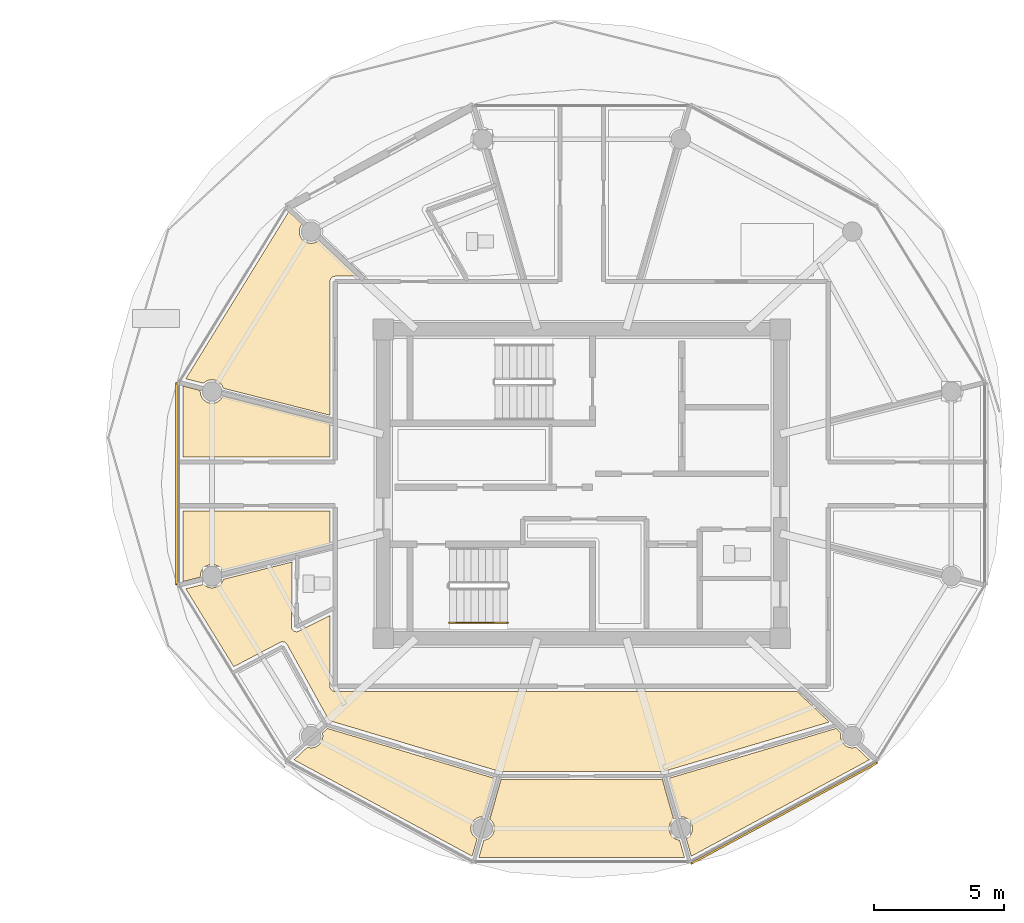
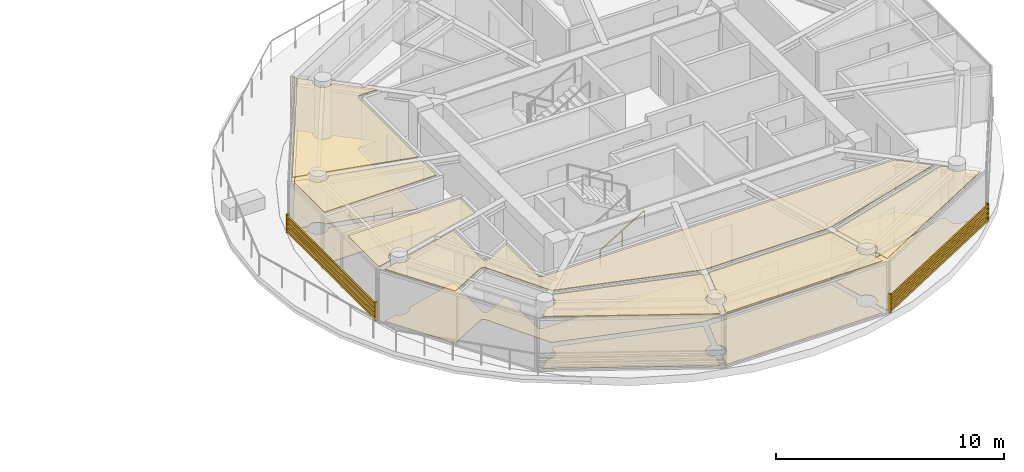
# One storey, part 21 of 28: 13 coverings, 2 shading devices, 1 railing.
"""IFC4 building model written with IfcOpenShell, lengths in metres."""

from ifc_helpers import new_model, si_unit, direction, frame, origin, origin_2d, place, context, subcontext, project, spatial, polyline, rectangle, outline, extrude, source, transform, mapped, material, layer, layer_set, type_object, type_shapes, element, save


model = new_model("IFC4")

# Units and contexts
model_context = context("Model", 3, precision=1e-05, world=origin(), true_north=direction((0.0, 1.0)))
body_context = subcontext(model_context, "Body", "Model", "MODEL_VIEW")
ifc_project = project(units=[si_unit("LENGTHUNIT", "METRE"), si_unit("AREAUNIT", "SQUARE_METRE"), si_unit("VOLUMEUNIT", "CUBIC_METRE"), si_unit("PLANEANGLEUNIT", "RADIAN"), si_unit("MASSUNIT", "GRAM", prefix="KILO")], contexts=[model_context])

# Site, building, storey
site_placement = place(None, origin())
site = spatial("IfcSite", under=ifc_project, at=site_placement, CompositionType="ELEMENT")
building_placement = place(site_placement, origin())
building = spatial("IfcBuilding", under=site, at=building_placement, Name="Norrkilde Senior Care Towers", CompositionType="ELEMENT")
storey_placement = place(building_placement, frame((0.0, 0.0, 190.64990234375)))
storey = spatial("IfcBuildingStorey", under=building, at=storey_placement, Name="L59", CompositionType="ELEMENT", Elevation=190.64990234375)

# Coverings
ifc_material_1 = material(Name="Nordic Ash Timber", Category="wood")
ifc_layer_1 = layer(ifc_material_1, 0.044921875)
ifc_layer_set_1 = layer_set([ifc_layer_1], Name="Nordic Ash Timber")
covering_type_1 = type_object("IfcCoveringType", Name="Acoustic Ash Timber Slatted Ceiling 45", PredefinedType="CEILING", material=ifc_layer_set_1)
covering_1_placement = place(storey_placement, frame((0.0, 0.0, 2.76513671875)))
element("IfcCovering", 1, at=covering_1_placement, inside=storey, type_object=covering_type_1, Name="L59 Suspended Ceiling 0356", PredefinedType="CEILING", context=body_context, shape_type="SweptSolid", body=[
    extrude(outline(polyline([(18.300048828125, -1.0400390625), (18.300048828125, -2.331298828125), (14.165771484375, -3.377685546875), (14.146728515625, -3.331298828125), (14.07421875, -3.237060546875), (13.97998046875, -3.164794921875), (13.870361328125, -3.119384765625), (13.752685546875, -3.103759765625), (13.634765625, -3.119384765625), (13.525146484375, -3.164794921875), (13.430908203125, -3.237060546875), (13.358642578125, -3.331298828125), (13.31298828125, -3.44091796875), (13.297607421875, -3.558837890625), (13.302490234375, -3.59619140625), (12.62646484375, -3.76708984375), (12.62646484375, -1.0400390625), (18.300048828125, -1.0400390625)])), origin(), (0.0, 0.0, 1.0), 0.044921875),
])
covering_2_placement = place(storey_placement, frame((0.0, 0.0, 2.76513671875)))
element("IfcCovering", 2, at=covering_2_placement, inside=storey, type_object=covering_type_1, Name="L59 Suspended Ceiling 0357", PredefinedType="CEILING", context=body_context, shape_type="SweptSolid", body=[
    extrude(outline(polyline([(18.300048828125, 1.0400390625), (12.62646484375, 1.0400390625), (12.62646484375, 3.76708984375), (13.302490234375, 3.59619140625), (13.297607421875, 3.558837890625), (13.31298828125, 3.44091796875), (13.358642578125, 3.331298828125), (13.430908203125, 3.237060546875), (13.525146484375, 3.164794921875), (13.634765625, 3.119384765625), (13.752685546875, 3.103759765625), (13.870361328125, 3.119384765625), (13.97998046875, 3.164794921875), (14.07421875, 3.237060546875), (14.146728515625, 3.331298828125), (14.165771484375, 3.377685546875), (18.300048828125, 2.331298828125), (18.300048828125, 1.0400390625)])), origin(), (0.0, 0.0, 1.0), 0.044921875),
])
covering_3_placement = place(storey_placement, frame((0.0, 0.0, 2.76513671875)))
element("IfcCovering", 3, at=covering_3_placement, inside=storey, type_object=covering_type_1, Name="L59 Suspended Ceiling 0365", PredefinedType="CEILING", context=body_context, shape_type="SweptSolid", body=[
    extrude(outline(polyline([(18.455322265625, 7.994873046875), (18.447509765625, 7.992919921875), (18.436279296875, 7.989501953125), (18.428955078125, 7.98681640625), (18.41796875, 7.982421875), (18.410888671875, 7.97900390625), (18.400634765625, 7.973388671875), (18.393798828125, 7.969482421875), (18.384033203125, 7.962890625), (18.377685546875, 7.958251953125), (18.36865234375, 7.95068359375), (18.36279296875, 7.945556640625), (18.3544921875, 7.937255859375), (18.34912109375, 7.931396484375), (18.341796875, 7.92236328125), (18.337158203125, 7.916015625), (18.33056640625, 7.90625), (18.326416015625, 7.8994140625), (18.321044921875, 7.888916015625), (18.317626953125, 7.8818359375), (18.31298828125, 7.87109375), (18.310546875, 7.86376953125), (18.30712890625, 7.852294921875), (18.30517578125, 7.8447265625), (18.302734375, 7.833251953125), (18.3017578125, 7.825439453125), (18.300537109375, 7.813720703125), (18.300048828125, 7.805908203125), (18.300048828125, 7.800048828125), (18.300048828125, 2.640625), (14.190185546875, 3.680908203125), (14.146728515625, 3.786376953125), (14.07421875, 3.880615234375), (13.97998046875, 3.952880859375), (13.870361328125, 3.998291015625), (13.752685546875, 4.013671875), (13.634765625, 3.998291015625), (13.525146484375, 3.952880859375), (13.430908203125, 3.880615234375), (13.426025390625, 3.874267578125), (12.74267578125, 4.04736328125), (16.71337890625, 10.495849609375), (17.224365234375, 10.01318359375), (17.176025390625, 9.9501953125), (17.130615234375, 9.840576171875), (17.115234375, 9.72265625), (17.130615234375, 9.60498046875), (17.176025390625, 9.4951171875), (17.24853515625, 9.40087890625), (17.3427734375, 9.32861328125), (17.452392578125, 9.283203125), (17.570068359375, 9.267822265625), (17.68798828125, 9.283203125), (17.797607421875, 9.32861328125), (17.88134765625, 9.392822265625), (19.355712890625, 8.0), (18.5, 8.0), (18.494140625, 7.999755859375), (18.486328125, 7.99951171875), (18.474609375, 7.998291015625), (18.466796875, 7.9970703125), (18.455322265625, 7.994873046875)])), origin(), (0.0, 0.0, 1.0), 0.044921875),
])
covering_4_placement = place(storey_placement, frame((0.0, 0.0, 2.76513671875)))
element("IfcCovering", 4, at=covering_4_placement, inside=storey, type_object=covering_type_1, Name="L59 Suspended Ceiling 0366", PredefinedType="CEILING", context=body_context, shape_type="SweptSolid", body=[
    extrude(outline(polyline([(16.817626953125, -5.54150390625), (16.819580078125, -5.552978515625), (16.8212890625, -5.5595703125), (16.824462890625, -5.57080078125), (16.82666015625, -5.577392578125), (16.8310546875, -5.588134765625), (16.833740234375, -5.594482421875), (16.839111328125, -5.604736328125), (16.842529296875, -5.610595703125), (16.848876953125, -5.62060546875), (16.85302734375, -5.6259765625), (16.860107421875, -5.63525390625), (16.86474609375, -5.640380859375), (16.872802734375, -5.648681640625), (16.877685546875, -5.653564453125), (16.88671875, -5.6611328125), (16.89208984375, -5.665283203125), (16.901611328125, -5.671875), (16.907470703125, -5.675537109375), (16.917724609375, -5.68115234375), (16.923828125, -5.684326171875), (16.9345703125, -5.68896484375), (16.94091796875, -5.69140625), (16.951904296875, -5.695068359375), (16.95849609375, -5.69677734375), (16.969970703125, -5.69921875), (16.976806640625, -5.700439453125), (16.98828125, -5.701904296875), (16.9951171875, -5.702392578125), (17.0068359375, -5.70263671875), (17.013671875, -5.702392578125), (17.025390625, -5.70166015625), (17.031982421875, -5.70068359375), (17.043701171875, -5.69873046875), (17.05029296875, -5.697265625), (17.0615234375, -5.694091796875), (17.068115234375, -5.69189453125), (17.078857421875, -5.687744140625), (17.085205078125, -5.68505859375), (17.090576171875, -5.6826171875), (18.300048828125, -5.076171875), (18.300048828125, -7.800048828125), (18.300048828125, -7.805908203125), (18.300537109375, -7.813720703125), (18.3017578125, -7.825439453125), (18.302734375, -7.833251953125), (18.30517578125, -7.8447265625), (18.30712890625, -7.852294921875), (18.310546875, -7.86376953125), (18.31298828125, -7.87109375), (18.317626953125, -7.8818359375), (18.321044921875, -7.888916015625), (18.326416015625, -7.8994140625), (18.33056640625, -7.90625), (18.337158203125, -7.916015625), (18.341796875, -7.92236328125), (18.34912109375, -7.931396484375), (18.3544921875, -7.937255859375), (18.36279296875, -7.945556640625), (18.36865234375, -7.95068359375), (18.377685546875, -7.958251953125), (18.384033203125, -7.962890625), (18.393798828125, -7.969482421875), (18.400634765625, -7.973388671875), (18.410888671875, -7.97900390625), (18.41796875, -7.982421875), (18.428955078125, -7.98681640625), (18.436279296875, -7.989501953125), (18.447509765625, -7.992919921875), (18.455322265625, -7.994873046875), (18.466796875, -7.9970703125), (18.474609375, -7.998291015625), (18.486328125, -7.99951171875), (18.494140625, -7.999755859375), (18.5, -8.0), (36.294677734375, -8.0), (37.5439453125, -9.179931640625), (31.18408203125, -11.0791015625), (24.81591796875, -11.0791015625), (18.265380859375, -9.122802734375), (16.640869140625, -6.182861328125), (16.637939453125, -6.177978515625), (16.63427734375, -6.172119140625), (16.627685546875, -6.16259765625), (16.623779296875, -6.1572265625), (16.6162109375, -6.1484375), (16.611572265625, -6.143310546875), (16.603271484375, -6.13525390625), (16.598388671875, -6.130615234375), (16.58935546875, -6.12353515625), (16.583740234375, -6.119384765625), (16.573974609375, -6.113037109375), (16.568115234375, -6.109619140625), (16.557861328125, -6.104248046875), (16.5517578125, -6.101318359375), (16.541015625, -6.096923828125), (16.53466796875, -6.0947265625), (16.523681640625, -6.09130859375), (16.51708984375, -6.089599609375), (16.505615234375, -6.08740234375), (16.4990234375, -6.08642578125), (16.4873046875, -6.08544921875), (16.48046875, -6.0849609375), (16.468994140625, -6.0849609375), (16.462158203125, -6.085205078125), (16.45068359375, -6.08642578125), (16.44384765625, -6.08740234375), (16.4326171875, -6.089599609375), (16.426025390625, -6.09130859375), (16.414794921875, -6.094482421875), (16.408447265625, -6.0966796875), (16.397705078125, -6.10107421875), (16.3916015625, -6.10400390625), (16.386474609375, -6.1064453125), (14.59033203125, -7.0478515625), (12.74267578125, -4.04736328125), (13.426025390625, -3.874267578125), (13.430908203125, -3.880615234375), (13.525146484375, -3.952880859375), (13.634765625, -3.998291015625), (13.752685546875, -4.013671875), (13.870361328125, -3.998291015625), (13.97998046875, -3.952880859375), (14.07421875, -3.880615234375), (14.146728515625, -3.786376953125), (14.190185546875, -3.680908203125), (16.84521484375, -3.0087890625), (16.8154296875, -5.510498046875), (16.8154296875, -5.516357421875), (16.815673828125, -5.523193359375), (16.816650390625, -5.53466796875), (16.817626953125, -5.54150390625)])), origin(), (0.0, 0.0, 1.0), 0.044921875),
])
covering_5_placement = place(storey_placement, frame((0.0, 0.0, 2.76513671875)))
element("IfcCovering", 5, at=covering_5_placement, inside=storey, type_object=covering_type_1, Name="L59 Suspended Ceiling 0368", PredefinedType="CEILING", context=body_context, shape_type="SweptSolid", body=[
    extrude(outline(polyline([(17.452392578125, -10.162109375), (17.570068359375, -10.177734375), (17.68798828125, -10.162109375), (17.797607421875, -10.11669921875), (17.891845703125, -10.04443359375), (17.964111328125, -9.9501953125), (18.009765625, -9.840576171875), (18.025146484375, -9.72265625), (18.009765625, -9.60498046875), (18.0087890625, -9.6025390625), (18.196044921875, -9.42578125), (24.648681640625, -11.3525390625), (24.218505859375, -12.831298828125), (24.182373046875, -12.826416015625), (24.064697265625, -12.842041015625), (23.954833984375, -12.887451171875), (23.860595703125, -12.959716796875), (23.788330078125, -13.053955078125), (23.742919921875, -13.163818359375), (23.7275390625, -13.281494140625), (23.742919921875, -13.399169921875), (23.788330078125, -13.509033203125), (23.860595703125, -13.603271484375), (23.954833984375, -13.675537109375), (23.970947265625, -13.68212890625), (23.776123046875, -14.351806640625), (16.91357421875, -10.636962890625), (17.42724609375, -10.15185546875), (17.452392578125, -10.162109375)])), origin(), (0.0, 0.0, 1.0), 0.044921875),
])
covering_6_placement = place(storey_placement, frame((0.0, 0.0, 2.76513671875)))
element("IfcCovering", 6, at=covering_6_placement, inside=storey, type_object=covering_type_1, Name="L59 Suspended Ceiling 0369", PredefinedType="CEILING", context=body_context, shape_type="SweptSolid", body=[
    extrude(outline(polyline([(24.229736328125, -13.730224609375), (24.30029296875, -13.720947265625), (24.409912109375, -13.675537109375), (24.504150390625, -13.603271484375), (24.576416015625, -13.509033203125), (24.621826171875, -13.399169921875), (24.637451171875, -13.281494140625), (24.621826171875, -13.163818359375), (24.576416015625, -13.053955078125), (24.504150390625, -12.959716796875), (24.458251953125, -12.924560546875), (24.89404296875, -11.38916015625), (31.10595703125, -11.38916015625), (31.541748046875, -12.924560546875), (31.495849609375, -12.959716796875), (31.423583984375, -13.053955078125), (31.378173828125, -13.163818359375), (31.362548828125, -13.281494140625), (31.378173828125, -13.399169921875), (31.423583984375, -13.509033203125), (31.495849609375, -13.603271484375), (31.590087890625, -13.675537109375), (31.69970703125, -13.720947265625), (31.770263671875, -13.730224609375), (31.96240234375, -14.407470703125), (24.03759765625, -14.407470703125), (24.229736328125, -13.730224609375)])), origin(), (0.0, 0.0, 1.0), 0.044921875),
])
covering_7_placement = place(storey_placement, frame((0.0, 0.0, 2.76513671875)))
element("IfcCovering", 7, at=covering_7_placement, inside=storey, type_object=covering_type_1, Name="L59 Suspended Ceiling 0370", PredefinedType="CEILING", context=body_context, shape_type="SweptSolid", body=[
    extrude(outline(polyline([(32.223876953125, -14.351806640625), (32.029052734375, -13.68212890625), (32.045166015625, -13.675537109375), (32.139404296875, -13.603271484375), (32.211669921875, -13.509033203125), (32.257080078125, -13.399169921875), (32.2724609375, -13.281494140625), (32.257080078125, -13.163818359375), (32.211669921875, -13.053955078125), (32.139404296875, -12.959716796875), (32.045166015625, -12.887451171875), (31.935302734375, -12.842041015625), (31.817626953125, -12.826416015625), (31.781494140625, -12.831298828125), (31.351318359375, -11.3525390625), (37.803955078125, -9.42578125), (37.9912109375, -9.6025390625), (37.990234375, -9.60498046875), (37.974853515625, -9.72265625), (37.990234375, -9.840576171875), (38.035888671875, -9.9501953125), (38.108154296875, -10.04443359375), (38.202392578125, -10.11669921875), (38.31201171875, -10.162109375), (38.429931640625, -10.177734375), (38.547607421875, -10.162109375), (38.57275390625, -10.15185546875), (39.08642578125, -10.636962890625), (32.223876953125, -14.351806640625)])), origin(), (0.0, 0.0, 1.0), 0.044921875),
])
ifc_material_2 = material(Name="Slip-Resistant Porcelain Stone", Category="masonry")
ifc_layer_2 = layer(ifc_material_2, 0.02490234375)
ifc_layer_set_2 = layer_set([ifc_layer_2], Name="Slip-Resistant Porcelain Stone")
covering_type_2 = type_object("IfcCoveringType", Name="Slip-Resistant Porcelain Flooring 25", PredefinedType="FLOORING", material=ifc_layer_set_2)
covering_8_placement = place(storey_placement, origin())
element("IfcCovering", 8, at=covering_8_placement, inside=storey, type_object=covering_type_2, Name="L59 Floor Finish 0357", PredefinedType="FLOORING", context=body_context, shape_type="SweptSolid", body=[
    extrude(outline(polyline([(18.300048828125, 1.0400390625), (12.62646484375, 1.0400390625), (12.62646484375, 3.76708984375), (13.302490234375, 3.59619140625), (13.297607421875, 3.558837890625), (13.31298828125, 3.44091796875), (13.358642578125, 3.331298828125), (13.430908203125, 3.237060546875), (13.525146484375, 3.164794921875), (13.634765625, 3.119384765625), (13.752685546875, 3.103759765625), (13.870361328125, 3.119384765625), (13.97998046875, 3.164794921875), (14.07421875, 3.237060546875), (14.146728515625, 3.331298828125), (14.165771484375, 3.377685546875), (18.300048828125, 2.331298828125), (18.300048828125, 1.0400390625)])), origin(), (0.0, 0.0, 1.0), 0.025146484375),
])
covering_9_placement = place(storey_placement, origin())
element("IfcCovering", 9, at=covering_9_placement, inside=storey, type_object=covering_type_2, Name="L59 Floor Finish 0365", PredefinedType="FLOORING", context=body_context, shape_type="SweptSolid", body=[
    extrude(outline(polyline([(18.455322265625, 7.994873046875), (18.447509765625, 7.992919921875), (18.436279296875, 7.989501953125), (18.428955078125, 7.98681640625), (18.41796875, 7.982421875), (18.410888671875, 7.97900390625), (18.400634765625, 7.973388671875), (18.393798828125, 7.969482421875), (18.384033203125, 7.962890625), (18.377685546875, 7.958251953125), (18.36865234375, 7.95068359375), (18.36279296875, 7.945556640625), (18.3544921875, 7.937255859375), (18.34912109375, 7.931396484375), (18.341796875, 7.92236328125), (18.337158203125, 7.916015625), (18.33056640625, 7.90625), (18.326416015625, 7.8994140625), (18.321044921875, 7.888916015625), (18.317626953125, 7.8818359375), (18.31298828125, 7.87109375), (18.310546875, 7.86376953125), (18.30712890625, 7.852294921875), (18.30517578125, 7.8447265625), (18.302734375, 7.833251953125), (18.3017578125, 7.825439453125), (18.300537109375, 7.813720703125), (18.300048828125, 7.805908203125), (18.300048828125, 7.800048828125), (18.300048828125, 2.640625), (14.190185546875, 3.680908203125), (14.146728515625, 3.786376953125), (14.07421875, 3.880615234375), (13.97998046875, 3.952880859375), (13.870361328125, 3.998291015625), (13.752685546875, 4.013671875), (13.634765625, 3.998291015625), (13.525146484375, 3.952880859375), (13.430908203125, 3.880615234375), (13.426025390625, 3.874267578125), (12.74267578125, 4.04736328125), (16.71337890625, 10.495849609375), (17.224365234375, 10.01318359375), (17.176025390625, 9.9501953125), (17.130615234375, 9.840576171875), (17.115234375, 9.72265625), (17.130615234375, 9.60498046875), (17.176025390625, 9.4951171875), (17.24853515625, 9.40087890625), (17.3427734375, 9.32861328125), (17.452392578125, 9.283203125), (17.570068359375, 9.267822265625), (17.68798828125, 9.283203125), (17.797607421875, 9.32861328125), (17.88134765625, 9.392822265625), (19.355712890625, 8.0), (18.5, 8.0), (18.494140625, 7.999755859375), (18.486328125, 7.99951171875), (18.474609375, 7.998291015625), (18.466796875, 7.9970703125), (18.455322265625, 7.994873046875)])), origin(), (0.0, 0.0, 1.0), 0.025146484375),
])
covering_10_placement = place(storey_placement, origin())
element("IfcCovering", 10, at=covering_10_placement, inside=storey, type_object=covering_type_2, Name="L59 Floor Finish 0366", PredefinedType="FLOORING", context=body_context, shape_type="SweptSolid", body=[
    extrude(outline(polyline([(16.817626953125, -5.54150390625), (16.819580078125, -5.552978515625), (16.8212890625, -5.5595703125), (16.824462890625, -5.57080078125), (16.82666015625, -5.577392578125), (16.8310546875, -5.588134765625), (16.833740234375, -5.594482421875), (16.839111328125, -5.604736328125), (16.842529296875, -5.610595703125), (16.848876953125, -5.62060546875), (16.85302734375, -5.6259765625), (16.860107421875, -5.63525390625), (16.86474609375, -5.640380859375), (16.872802734375, -5.648681640625), (16.877685546875, -5.653564453125), (16.88671875, -5.6611328125), (16.89208984375, -5.665283203125), (16.901611328125, -5.671875), (16.907470703125, -5.675537109375), (16.917724609375, -5.68115234375), (16.923828125, -5.684326171875), (16.9345703125, -5.68896484375), (16.94091796875, -5.69140625), (16.951904296875, -5.695068359375), (16.95849609375, -5.69677734375), (16.969970703125, -5.69921875), (16.976806640625, -5.700439453125), (16.98828125, -5.701904296875), (16.9951171875, -5.702392578125), (17.0068359375, -5.70263671875), (17.013671875, -5.702392578125), (17.025390625, -5.70166015625), (17.031982421875, -5.70068359375), (17.043701171875, -5.69873046875), (17.05029296875, -5.697265625), (17.0615234375, -5.694091796875), (17.068115234375, -5.69189453125), (17.078857421875, -5.687744140625), (17.085205078125, -5.68505859375), (17.090576171875, -5.6826171875), (18.300048828125, -5.076171875), (18.300048828125, -7.800048828125), (18.300048828125, -7.805908203125), (18.300537109375, -7.813720703125), (18.3017578125, -7.825439453125), (18.302734375, -7.833251953125), (18.30517578125, -7.8447265625), (18.30712890625, -7.852294921875), (18.310546875, -7.86376953125), (18.31298828125, -7.87109375), (18.317626953125, -7.8818359375), (18.321044921875, -7.888916015625), (18.326416015625, -7.8994140625), (18.33056640625, -7.90625), (18.337158203125, -7.916015625), (18.341796875, -7.92236328125), (18.34912109375, -7.931396484375), (18.3544921875, -7.937255859375), (18.36279296875, -7.945556640625), (18.36865234375, -7.95068359375), (18.377685546875, -7.958251953125), (18.384033203125, -7.962890625), (18.393798828125, -7.969482421875), (18.400634765625, -7.973388671875), (18.410888671875, -7.97900390625), (18.41796875, -7.982421875), (18.428955078125, -7.98681640625), (18.436279296875, -7.989501953125), (18.447509765625, -7.992919921875), (18.455322265625, -7.994873046875), (18.466796875, -7.9970703125), (18.474609375, -7.998291015625), (18.486328125, -7.99951171875), (18.494140625, -7.999755859375), (18.5, -8.0), (36.294677734375, -8.0), (37.5439453125, -9.179931640625), (31.18408203125, -11.0791015625), (24.81591796875, -11.0791015625), (18.265380859375, -9.122802734375), (16.640869140625, -6.182861328125), (16.637939453125, -6.177978515625), (16.63427734375, -6.172119140625), (16.627685546875, -6.16259765625), (16.623779296875, -6.1572265625), (16.6162109375, -6.1484375), (16.611572265625, -6.143310546875), (16.603271484375, -6.13525390625), (16.598388671875, -6.130615234375), (16.58935546875, -6.12353515625), (16.583740234375, -6.119384765625), (16.573974609375, -6.113037109375), (16.568115234375, -6.109619140625), (16.557861328125, -6.104248046875), (16.5517578125, -6.101318359375), (16.541015625, -6.096923828125), (16.53466796875, -6.0947265625), (16.523681640625, -6.09130859375), (16.51708984375, -6.089599609375), (16.505615234375, -6.08740234375), (16.4990234375, -6.08642578125), (16.4873046875, -6.08544921875), (16.48046875, -6.0849609375), (16.468994140625, -6.0849609375), (16.462158203125, -6.085205078125), (16.45068359375, -6.08642578125), (16.44384765625, -6.08740234375), (16.4326171875, -6.089599609375), (16.426025390625, -6.09130859375), (16.414794921875, -6.094482421875), (16.408447265625, -6.0966796875), (16.397705078125, -6.10107421875), (16.3916015625, -6.10400390625), (16.386474609375, -6.1064453125), (14.59033203125, -7.0478515625), (12.74267578125, -4.04736328125), (13.426025390625, -3.874267578125), (13.430908203125, -3.880615234375), (13.525146484375, -3.952880859375), (13.634765625, -3.998291015625), (13.752685546875, -4.013671875), (13.870361328125, -3.998291015625), (13.97998046875, -3.952880859375), (14.07421875, -3.880615234375), (14.146728515625, -3.786376953125), (14.190185546875, -3.680908203125), (16.84521484375, -3.0087890625), (16.8154296875, -5.510498046875), (16.8154296875, -5.516357421875), (16.815673828125, -5.523193359375), (16.816650390625, -5.53466796875), (16.817626953125, -5.54150390625)])), origin(), (0.0, 0.0, 1.0), 0.025146484375),
])
covering_11_placement = place(storey_placement, origin())
element("IfcCovering", 11, at=covering_11_placement, inside=storey, type_object=covering_type_2, Name="L59 Floor Finish 0368", PredefinedType="FLOORING", context=body_context, shape_type="SweptSolid", body=[
    extrude(outline(polyline([(17.452392578125, -10.162109375), (17.570068359375, -10.177734375), (17.68798828125, -10.162109375), (17.797607421875, -10.11669921875), (17.891845703125, -10.04443359375), (17.964111328125, -9.9501953125), (18.009765625, -9.840576171875), (18.025146484375, -9.72265625), (18.009765625, -9.60498046875), (18.0087890625, -9.6025390625), (18.196044921875, -9.42578125), (24.648681640625, -11.3525390625), (24.218505859375, -12.831298828125), (24.182373046875, -12.826416015625), (24.064697265625, -12.842041015625), (23.954833984375, -12.887451171875), (23.860595703125, -12.959716796875), (23.788330078125, -13.053955078125), (23.742919921875, -13.163818359375), (23.7275390625, -13.281494140625), (23.742919921875, -13.399169921875), (23.788330078125, -13.509033203125), (23.860595703125, -13.603271484375), (23.954833984375, -13.675537109375), (23.970947265625, -13.68212890625), (23.776123046875, -14.351806640625), (16.91357421875, -10.636962890625), (17.42724609375, -10.15185546875), (17.452392578125, -10.162109375)])), origin(), (0.0, 0.0, 1.0), 0.025146484375),
])
covering_12_placement = place(storey_placement, origin())
element("IfcCovering", 12, at=covering_12_placement, inside=storey, type_object=covering_type_2, Name="L59 Floor Finish 0369", PredefinedType="FLOORING", context=body_context, shape_type="SweptSolid", body=[
    extrude(outline(polyline([(24.229736328125, -13.730224609375), (24.30029296875, -13.720947265625), (24.409912109375, -13.675537109375), (24.504150390625, -13.603271484375), (24.576416015625, -13.509033203125), (24.621826171875, -13.399169921875), (24.637451171875, -13.281494140625), (24.621826171875, -13.163818359375), (24.576416015625, -13.053955078125), (24.504150390625, -12.959716796875), (24.458251953125, -12.924560546875), (24.89404296875, -11.38916015625), (31.10595703125, -11.38916015625), (31.541748046875, -12.924560546875), (31.495849609375, -12.959716796875), (31.423583984375, -13.053955078125), (31.378173828125, -13.163818359375), (31.362548828125, -13.281494140625), (31.378173828125, -13.399169921875), (31.423583984375, -13.509033203125), (31.495849609375, -13.603271484375), (31.590087890625, -13.675537109375), (31.69970703125, -13.720947265625), (31.770263671875, -13.730224609375), (31.96240234375, -14.407470703125), (24.03759765625, -14.407470703125), (24.229736328125, -13.730224609375)])), origin(), (0.0, 0.0, 1.0), 0.025146484375),
])
covering_13_placement = place(storey_placement, origin())
element("IfcCovering", 13, at=covering_13_placement, inside=storey, type_object=covering_type_2, Name="L59 Floor Finish 0370", PredefinedType="FLOORING", context=body_context, shape_type="SweptSolid", body=[
    extrude(outline(polyline([(32.223876953125, -14.351806640625), (32.029052734375, -13.68212890625), (32.045166015625, -13.675537109375), (32.139404296875, -13.603271484375), (32.211669921875, -13.509033203125), (32.257080078125, -13.399169921875), (32.2724609375, -13.281494140625), (32.257080078125, -13.163818359375), (32.211669921875, -13.053955078125), (32.139404296875, -12.959716796875), (32.045166015625, -12.887451171875), (31.935302734375, -12.842041015625), (31.817626953125, -12.826416015625), (31.781494140625, -12.831298828125), (31.351318359375, -11.3525390625), (37.803955078125, -9.42578125), (37.9912109375, -9.6025390625), (37.990234375, -9.60498046875), (37.974853515625, -9.72265625), (37.990234375, -9.840576171875), (38.035888671875, -9.9501953125), (38.108154296875, -10.04443359375), (38.202392578125, -10.11669921875), (38.31201171875, -10.162109375), (38.429931640625, -10.177734375), (38.547607421875, -10.162109375), (38.57275390625, -10.15185546875), (39.08642578125, -10.636962890625), (32.223876953125, -14.351806640625)])), origin(), (0.0, 0.0, 1.0), 0.025146484375),
])

# Railing
railing_type = type_object("IfcRailingType", Name="Wall and Stair Handrail 900", PredefinedType="HANDRAIL", material=ifc_material_1)
railing_placement = place(storey_placement, frame((22.89990234375, -5.35009765625, 0.16943359375)))
element("IfcRailing", 14, at=railing_placement, inside=storey, type_object=railing_type, Name="L59 ST-E2 stair handrail 1", PredefinedType="HANDRAIL", context=body_context, shape_type="SweptSolid", body=[
    extrude(rectangle(XDim=0.048095703125, YDim=0.048095703125, at=origin_2d()), frame((0.0, 0.0, 0.8759765625), z_axis=(0.855512035549, 0.0, 0.517782924622), x_axis=(0.0, 1.0, 0.0)), (0.0, 0.0, 1.0), 2.618408203125),
    extrude(rectangle(XDim=0.0419921875, YDim=0.0419921875, at=origin_2d()), origin(), (0.0, 0.0, 1.0), 0.849853515625),
    extrude(rectangle(XDim=0.0419921875, YDim=0.0419921875, at=origin_2d()), frame((1.1201171875, 0.0, 0.677734375)), (0.0, 0.0, 1.0), 0.849853515625),
    extrude(rectangle(XDim=0.0419921875, YDim=0.0419921875, at=origin_2d()), frame((2.239990234375, 0.0, 1.355712890625)), (0.0, 0.0, 1.0), 0.849853515625),
])

# Shading devices
ifc_material_3 = material(Name="Architectural Terracotta", Category="masonry")
shading_device_type = type_object("IfcShadingDeviceType", Name="Horizontal Terracotta Baguette Rack", PredefinedType="USERDEFINED", material=ifc_material_3)
shared_shape_1 = source(origin(), body_context, "Body", "SweptSolid", [
    extrude(rectangle(XDim=0.070068359375, YDim=0.110107421875, at=origin_2d()), frame((0.0, 0.090087890625, 0.125), z_axis=(1.0, 0.0, 0.0), x_axis=(0.0, 1.0, 0.0)), (0.0, 0.0, 1.0), 8.197265625),
    extrude(rectangle(XDim=0.070068359375, YDim=0.110107421875, at=origin_2d()), frame((0.0, 0.090087890625, 0.375), z_axis=(1.0, 0.0, 0.0), x_axis=(0.0, 1.0, 0.0)), (0.0, 0.0, 1.0), 8.197265625),
    extrude(rectangle(XDim=0.070068359375, YDim=0.110107421875, at=origin_2d()), frame((0.0, 0.090087890625, 0.625), z_axis=(1.0, 0.0, 0.0), x_axis=(0.0, 1.0, 0.0)), (0.0, 0.0, 1.0), 8.197265625),
    extrude(rectangle(XDim=0.070068359375, YDim=0.110107421875, at=origin_2d()), frame((0.0, 0.090087890625, 0.875), z_axis=(1.0, 0.0, 0.0), x_axis=(0.0, 1.0, 0.0)), (0.0, 0.0, 1.0), 8.197265625),
    extrude(rectangle(XDim=0.050048828125, YDim=0.1552734375, at=origin_2d()), frame((0.02490234375, 0.047607421875, 0.0)), (0.0, 0.0, 1.0), 1.0),
    extrude(rectangle(XDim=0.050048828125, YDim=0.1552734375, at=origin_2d()), frame((8.17236328125, 0.047607421875, 0.0)), (0.0, 0.0, 1.0), 1.0),
])
shading_device_1_placement = place(storey_placement, frame((39.370361328125, -10.6630859375, 0.080078125), z_axis=(0.0, 0.0, 1.0), x_axis=(-0.879378127234, -0.476143674053, 0.0)))
element("IfcShadingDevice", 15, at=shading_device_1_placement, inside=storey, type_object=shading_device_type, Name="L59 Drum E Terracotta Baguette Screen 09", ObjectType="BAGUETTE", PredefinedType="USERDEFINED", context=body_context, shape_type="MappedRepresentation", body=[
    mapped(shared_shape_1, transform((0.0, 0.0, 0.0), x_axis=(1.0, 0.0, 0.0), y_axis=(0.0, 1.0, 0.0), z_axis=(0.0, 0.0, 1.0), scale=1.0)),
])
shared_shape_2 = source(origin(), body_context, "Body", "SweptSolid", [
    extrude(rectangle(XDim=0.070068359375, YDim=0.110107421875, at=origin_2d()), frame((0.0, 0.090087890625, 0.125), z_axis=(1.0, 0.0, 0.0), x_axis=(0.0, 1.0, 0.0)), (0.0, 0.0, 1.0), 7.80615234375),
    extrude(rectangle(XDim=0.070068359375, YDim=0.110107421875, at=origin_2d()), frame((0.0, 0.090087890625, 0.375), z_axis=(1.0, 0.0, 0.0), x_axis=(0.0, 1.0, 0.0)), (0.0, 0.0, 1.0), 7.80615234375),
    extrude(rectangle(XDim=0.070068359375, YDim=0.110107421875, at=origin_2d()), frame((0.0, 0.090087890625, 0.625), z_axis=(1.0, 0.0, 0.0), x_axis=(0.0, 1.0, 0.0)), (0.0, 0.0, 1.0), 7.80615234375),
    extrude(rectangle(XDim=0.070068359375, YDim=0.110107421875, at=origin_2d()), frame((0.0, 0.090087890625, 0.875), z_axis=(1.0, 0.0, 0.0), x_axis=(0.0, 1.0, 0.0)), (0.0, 0.0, 1.0), 7.80615234375),
    extrude(rectangle(XDim=0.050048828125, YDim=0.1552734375, at=origin_2d()), frame((0.02490234375, 0.047607421875, 0.0)), (0.0, 0.0, 1.0), 1.0),
    extrude(rectangle(XDim=0.050048828125, YDim=0.1552734375, at=origin_2d()), frame((7.78125, 0.047607421875, 0.0)), (0.0, 0.0, 1.0), 1.0),
])
type_shapes(shading_device_type, [shared_shape_1, shared_shape_2])
shading_device_2_placement = place(storey_placement, frame((12.468017578125, -3.903076171875, 0.080078125), z_axis=(0.0, 0.0, 1.0), x_axis=(0.0, 1.0, 0.0)))
element("IfcShadingDevice", 16, at=shading_device_2_placement, inside=storey, type_object=shading_device_type, Name="L59 Drum E Terracotta Baguette Screen 05", ObjectType="BAGUETTE", PredefinedType="USERDEFINED", context=body_context, shape_type="MappedRepresentation", body=[
    mapped(shared_shape_2, transform((0.0, 0.0, 0.0), x_axis=(1.0, 0.0, 0.0), y_axis=(0.0, 1.0, 0.0), z_axis=(0.0, 0.0, 1.0), scale=1.0)),
])

save(model, "model.ifc")
